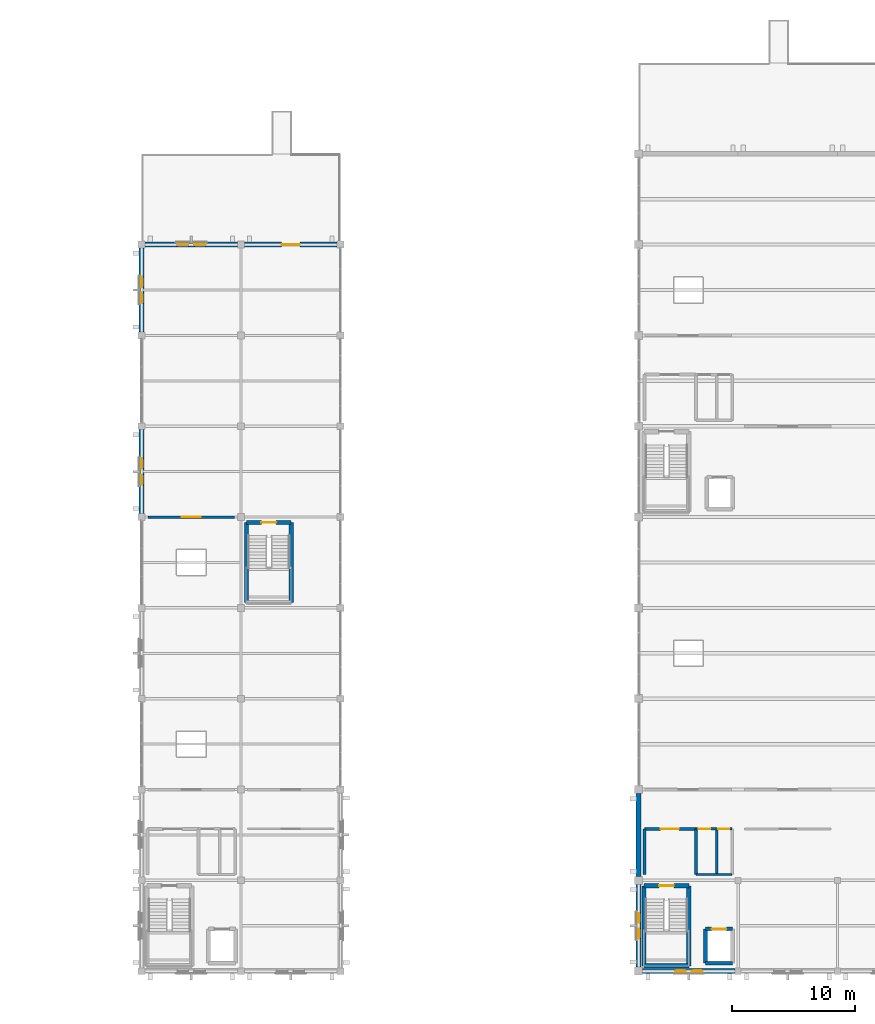
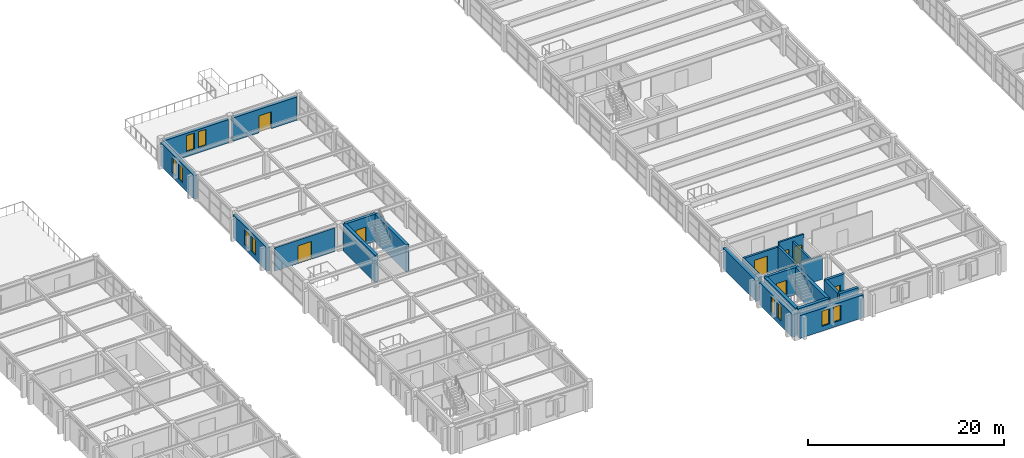
# One storey, part 80 of 93: 24 walls, 10 windows, 8 doors, 18 openings.
"""IFC4 building model written with IfcOpenShell, lengths in metres."""

from ifc_helpers import new_model, si_unit, direction, frame, frame_2d, origin, place, context, subcontext, project, spatial, rectangle, extrude, material, layer, layer_set, type_object, element, fill, save


model = new_model("IFC4")

# Units and contexts
model_context = context("Model", 3, precision=1e-05, world=origin(), true_north=direction((0.0, 1.0)))
body_context = subcontext(model_context, "Body", "Model", "MODEL_VIEW")
ifc_project = project(units=[si_unit("LENGTHUNIT", "METRE"), si_unit("AREAUNIT", "SQUARE_METRE"), si_unit("VOLUMEUNIT", "CUBIC_METRE"), si_unit("PLANEANGLEUNIT", "RADIAN"), si_unit("MASSUNIT", "GRAM", prefix="KILO")], contexts=[model_context])

# Site, building, storey
site_placement = place(None, origin())
site = spatial("IfcSite", under=ifc_project, at=site_placement, CompositionType="ELEMENT")
building_placement = place(site_placement, origin())
building = spatial("IfcBuilding", under=site, at=building_placement, Name="Cimatlan Art Gallery", CompositionType="ELEMENT")
storey_placement = place(building_placement, frame((0.0, 0.0, 13.800048828125)))
storey = spatial("IfcBuildingStorey", under=building, at=storey_placement, Name="L03", CompositionType="ELEMENT", Elevation=13.800048828125)

# Walls
ifc_material_1 = material(Name="Concrete C40/50", Category="concrete")
ifc_layer_1 = layer(ifc_material_1, 0.31005859375)
ifc_layer_set_1 = layer_set([ifc_layer_1], Name="Concrete C40/50")
wall_type_1 = type_object("IfcWallType", Name="W-CORE-310", PredefinedType="SHEAR", material=ifc_layer_set_1)
wall_1_placement = place(storey_placement, frame((80.35009765625, 24.550048828125, 0.0), z_axis=(0.0, 0.0, 1.0), x_axis=(0.0, 1.0, 0.0)))
element("IfcWall", 1, at=wall_1_placement, inside=storey, type_object=wall_type_1, Name="WL-SHFT-C3-L03-LW", PredefinedType="SHEAR", context=body_context, shape_type="SweptSolid", body=[
    extrude(rectangle(XDim=2.800048828125, YDim=0.31005859375, at=frame_2d((1.39990234375, 0.0))), origin(), (0.0, 0.0, 1.0), 3.375),
])
wall_2_placement = place(storey_placement, frame((80.35009765625, 24.550048828125, 0.0), z_axis=(0.0, 0.0, 1.0), x_axis=(1.0, 0.0, 0.0)))
element("IfcWall", 2, at=wall_2_placement, inside=storey, type_object=wall_type_1, Name="WL-SHFT-C3-L03-LS", PredefinedType="SHEAR", context=body_context, shape_type="SweptSolid", body=[
    extrude(rectangle(XDim=2.199951171875, YDim=0.31005859375, at=frame_2d((1.10009765625, 0.0))), origin(), (0.0, 0.0, 1.0), 3.375),
])

# Wall, opening, door
wall_3_placement = place(storey_placement, frame((80.35009765625, 27.35009765625, 0.0), z_axis=(0.0, 0.0, 1.0), x_axis=(1.0, 0.0, 0.0)))
wall_3 = element("IfcWall", 3, at=wall_3_placement, inside=storey, type_object=wall_type_1, Name="WL-SHFT-C3-L03-LN", PredefinedType="SHEAR", context=body_context, shape_type="SweptSolid", body=[
    extrude(rectangle(XDim=2.199951171875, YDim=0.31005859375, at=frame_2d((1.10009765625, 0.0))), origin(), (0.0, 0.0, 1.0), 3.375),
])
opening_1_placement = place(wall_3_placement, frame((0.5, 0.0, 0.0)))
opening_1 = element("IfcOpeningElement", 4, at=opening_1_placement, cuts=wall_3, Name="Opening LD-C3-L03", PredefinedType="OPENING", context=body_context, shape_type="SweptSolid", body=[
    extrude(rectangle(XDim=1.199951171875, YDim=2.14990234375, at=frame_2d((0.60009765625, 1.074951171875))), frame((0.0, 0.1650390625, 0.0), z_axis=(0.0, -1.0, 0.0), x_axis=(1.0, 0.0, 0.0)), (0.0, 0.0, 1.0), 0.330078125),
])
ifc_material_2 = material(Name="Fire-rated sliding firefighting lift landing door")
door_type_1 = type_object("IfcDoorType", Name="LD-FF-1200", OperationType="NOTDEFINED", PredefinedType="DOOR", material=ifc_material_2)
door_1_placement = place(opening_1_placement, origin())
door_1 = element("IfcDoor", 5, at=door_1_placement, inside=storey, type_object=door_type_1, Name="LD-FFL-02-L03", OperationType="SLIDING_TO_LEFT", OverallHeight=2.14990234375, OverallWidth=1.199951171875, PredefinedType="DOOR", context=body_context, shape_type="SweptSolid", body=[
    extrude(rectangle(XDim=1.199951171875, YDim=2.14990234375, at=frame_2d((0.60009765625, 1.074951171875))), frame((0.0, 0.02490234375, 0.0), z_axis=(0.0, -1.0, 0.0), x_axis=(1.0, 0.0, 0.0)), (0.0, 0.0, 1.0), 0.050048828125),
])
fill(opening_1, door_1)

# Walls
ifc_layer_2 = layer(ifc_material_1, 0.35009765625)
ifc_layer_set_2 = layer_set([ifc_layer_2], Name="Concrete C40/50")
wall_type_2 = type_object("IfcWallType", Name="W-CORE-350", PredefinedType="SHEAR", material=ifc_layer_set_2)
wall_4_placement = place(storey_placement, frame((75.340087890625, 24.340087890625, 0.0), z_axis=(0.0, 0.0, 1.0), x_axis=(0.0, 1.0, 0.0)))
element("IfcWall", 6, at=wall_4_placement, inside=storey, type_object=wall_type_2, Name="WL-CORE-C3-L03-SW", PredefinedType="SHEAR", context=body_context, shape_type="SweptSolid", body=[
    extrude(rectangle(XDim=6.52001953125, YDim=0.35009765625, at=frame_2d((3.260009765625, 0.0))), origin(), (0.0, 0.0, 1.0), 3.375),
])
wall_5_placement = place(storey_placement, frame((75.340087890625, 24.340087890625, 0.0), z_axis=(0.0, 0.0, 1.0), x_axis=(1.0, 0.0, 0.0)))
element("IfcWall", 7, at=wall_5_placement, inside=storey, type_object=wall_type_2, Name="WL-CORE-C3-L03-SS", PredefinedType="SHEAR", context=body_context, shape_type="SweptSolid", body=[
    extrude(rectangle(XDim=3.639892578125, YDim=0.35009765625, at=frame_2d((1.81982421875, 0.0))), origin(), (0.0, 0.0, 1.0), 3.375),
])
wall_6_placement = place(storey_placement, frame((78.97998046875, 24.340087890625, 0.0), z_axis=(0.0, 0.0, 1.0), x_axis=(0.0, 1.0, 0.0)))
element("IfcWall", 8, at=wall_6_placement, inside=storey, type_object=wall_type_2, Name="WL-CORE-C3-L03-SE", PredefinedType="SHEAR", context=body_context, shape_type="SweptSolid", body=[
    extrude(rectangle(XDim=6.52001953125, YDim=0.35009765625, at=frame_2d((3.260009765625, 0.0))), origin(), (0.0, 0.0, 1.0), 3.375),
])

# Wall, opening, door
wall_7_placement = place(storey_placement, frame((75.340087890625, 30.860107421875, 0.0), z_axis=(0.0, 0.0, 1.0), x_axis=(1.0, 0.0, 0.0)))
wall_7 = element("IfcWall", 9, at=wall_7_placement, inside=storey, type_object=wall_type_2, Name="WL-CORE-C3-L03-SN", PredefinedType="SHEAR", context=body_context, shape_type="SweptSolid", body=[
    extrude(rectangle(XDim=3.639892578125, YDim=0.35009765625, at=frame_2d((1.81982421875, 0.0))), origin(), (0.0, 0.0, 1.0), 3.375),
])
opening_2_placement = place(wall_7_placement, frame((1.219970703125, 0.0, 0.0)))
opening_2 = element("IfcOpeningElement", 10, at=opening_2_placement, cuts=wall_7, Name="Opening FD-C3-L03", PredefinedType="OPENING", context=body_context, shape_type="SweptSolid", body=[
    extrude(rectangle(XDim=1.199951171875, YDim=2.14990234375, at=frame_2d((0.60009765625, 1.074951171875))), frame((0.0, 0.18505859375, 0.0), z_axis=(0.0, -1.0, 0.0), x_axis=(1.0, 0.0, 0.0)), (0.0, 0.0, 1.0), 0.3701171875),
])
ifc_material_3 = material(Name="Fire-resisting steel acoustic stair door", Category="steel")
door_type_2 = type_object("IfcDoorType", Name="FD-ST-1200", OperationType="NOTDEFINED", PredefinedType="DOOR", material=ifc_material_3)
door_2_placement = place(opening_2_placement, origin())
door_2 = element("IfcDoor", 11, at=door_2_placement, inside=storey, type_object=door_type_2, Name="DR-C3-L03-ST", OperationType="SINGLE_SWING_LEFT", OverallHeight=2.14990234375, OverallWidth=1.199951171875, PredefinedType="DOOR", context=body_context, shape_type="SweptSolid", body=[
    extrude(rectangle(XDim=1.199951171875, YDim=2.14990234375, at=frame_2d((0.60009765625, 1.074951171875))), frame((0.0, 0.02490234375, 0.0), z_axis=(0.0, -1.0, 0.0), x_axis=(1.0, 0.0, 0.0)), (0.0, 0.0, 1.0), 0.050048828125),
])
fill(opening_2, door_2)

# Walls
for number, where, z_axis, x_axis, name in (
    (12, (42.93994140625, 53.93994140625, 0.0), (0.0, 0.0, 1.0), (0.0, 1.0, 0.0), "WL-CORE-C8-L03-SW"),
    (13, (46.580078125, 53.93994140625, 0.0), (0.0, 0.0, 1.0), (0.0, 1.0, 0.0), "WL-CORE-C8-L03-SE"),
):
    element("IfcWall", number, at=place(storey_placement, frame(where, z_axis=z_axis, x_axis=x_axis)), inside=storey, type_object=wall_type_2, Name=name, PredefinedType="SHEAR", context=body_context, shape_type="SweptSolid", body=[
        extrude(rectangle(XDim=6.52001953125, YDim=0.35009765625, at=frame_2d((3.260009765625, 0.0))), origin(), (0.0, 0.0, 1.0), 3.375),
    ])

# Wall, opening, door
wall_8_placement = place(storey_placement, frame((42.93994140625, 60.4599609375, 0.0), z_axis=(0.0, 0.0, 1.0), x_axis=(1.0, 0.0, 0.0)))
wall_8 = element("IfcWall", 14, at=wall_8_placement, inside=storey, type_object=wall_type_2, Name="WL-CORE-C8-L03-SN", PredefinedType="SHEAR", context=body_context, shape_type="SweptSolid", body=[
    extrude(rectangle(XDim=3.64013671875, YDim=0.35009765625, at=frame_2d((1.820068359375, 0.0))), origin(), (0.0, 0.0, 1.0), 3.375),
])
opening_3_placement = place(wall_8_placement, frame((1.219970703125, 0.0, 0.0)))
opening_3 = element("IfcOpeningElement", 15, at=opening_3_placement, cuts=wall_8, Name="Opening FD-C8-L03", PredefinedType="OPENING", context=body_context, shape_type="SweptSolid", body=[
    extrude(rectangle(XDim=1.199951171875, YDim=2.14990234375, at=frame_2d((0.60009765625, 1.074951171875))), frame((0.0, 0.18505859375, 0.0), z_axis=(0.0, -1.0, 0.0), x_axis=(1.0, 0.0, 0.0)), (0.0, 0.0, 1.0), 0.3701171875),
])
door_3_placement = place(opening_3_placement, origin())
door_3 = element("IfcDoor", 16, at=door_3_placement, inside=storey, type_object=door_type_2, Name="DR-C8-L03-ST", OperationType="SINGLE_SWING_RIGHT", OverallHeight=2.14990234375, OverallWidth=1.199951171875, PredefinedType="DOOR", context=body_context, shape_type="SweptSolid", body=[
    extrude(rectangle(XDim=1.199951171875, YDim=2.14990234375, at=frame_2d((0.60009765625, 1.074951171875))), frame((0.0, 0.02490234375, 0.0), z_axis=(0.0, -1.0, 0.0), x_axis=(1.0, 0.0, 0.0)), (0.0, 0.0, 1.0), 0.050048828125),
])
fill(opening_3, door_3)

ifc_material_4 = material(Name="Precast concrete C40/50", Category="concrete")
ifc_layer_3 = layer(ifc_material_4, 0.2451171875)
ifc_layer_set_3 = layer_set([ifc_layer_3], Name="Precast concrete C40/50")
wall_type_3 = type_object("IfcWallType", Name="W-FFL-245", PredefinedType="PARTITIONING", material=ifc_layer_set_3)
wall_9_placement = place(storey_placement, frame((75.3798828125, 35.5, 0.0), z_axis=(0.0, 0.0, 1.0), x_axis=(1.0, 0.0, 0.0)))
wall_9 = element("IfcWall", 17, at=wall_9_placement, inside=storey, type_object=wall_type_3, Name="WL-LOB-C3-L03-N", PredefinedType="PARTITIONING", context=body_context, shape_type="SweptSolid", body=[
    extrude(rectangle(XDim=4.170166015625, YDim=0.2451171875, at=frame_2d((2.0849609375, 0.0))), origin(), (0.0, 0.0, 1.0), 2.8369140625),
])
opening_4_placement = place(wall_9_placement, frame((1.300048828125, 0.0, 0.0)))
opening_4 = element("IfcOpeningElement", 18, at=opening_4_placement, cuts=wall_9, Name="Opening FDL-C3-L03", PredefinedType="OPENING", context=body_context, shape_type="SweptSolid", body=[
    extrude(rectangle(XDim=1.5, YDim=2.14990234375, at=frame_2d((0.75, 1.074951171875))), frame((0.0, 0.132568359375, 0.0), z_axis=(0.0, -1.0, 0.0), x_axis=(1.0, 0.0, 0.0)), (0.0, 0.0, 1.0), 0.26513671875),
])
ifc_material_5 = material(Name="Fire-resisting double-seal lobby door")
door_type_3 = type_object("IfcDoorType", Name="FD-LB-1500", OperationType="NOTDEFINED", PredefinedType="DOOR", material=ifc_material_5)
door_4_placement = place(opening_4_placement, origin())
door_4 = element("IfcDoor", 19, at=door_4_placement, inside=storey, type_object=door_type_3, Name="DR-LOB-C3-L03", OperationType="SINGLE_SWING_RIGHT", OverallHeight=2.14990234375, OverallWidth=1.5, PredefinedType="DOOR", context=body_context, shape_type="SweptSolid", body=[
    extrude(rectangle(XDim=1.5, YDim=2.14990234375, at=frame_2d((0.75, 1.074951171875))), frame((0.0, 0.02490234375, 0.0), z_axis=(0.0, -1.0, 0.0), x_axis=(1.0, 0.0, 0.0)), (0.0, 0.0, 1.0), 0.050048828125),
])
fill(opening_4, door_4)

# Walls
wall_10_placement = place(storey_placement, frame((75.3798828125, 31.780029296875, 0.0), z_axis=(0.0, 0.0, 1.0), x_axis=(0.0, 1.0, 0.0)))
element("IfcWall", 20, at=wall_10_placement, inside=storey, type_object=wall_type_3, Name="WL-LOB-C3-L03-W", PredefinedType="PARTITIONING", context=body_context, shape_type="SweptSolid", body=[
    extrude(rectangle(XDim=3.719970703125, YDim=0.2451171875, at=frame_2d((1.85986328125, 0.0))), origin(), (0.0, 0.0, 1.0), 2.8369140625),
])
wall_11_placement = place(storey_placement, frame((79.550048828125, 31.780029296875, 0.0), z_axis=(0.0, 0.0, 1.0), x_axis=(0.0, 1.0, 0.0)))
element("IfcWall", 21, at=wall_11_placement, inside=storey, type_object=wall_type_3, Name="WL-LOB-C3-L03-M", PredefinedType="PARTITIONING", context=body_context, shape_type="SweptSolid", body=[
    extrude(rectangle(XDim=3.719970703125, YDim=0.2451171875, at=frame_2d((1.85986328125, 0.0))), origin(), (0.0, 0.0, 1.0), 2.912841796875),
])

# Wall, opening, door
ifc_material_6 = material(Name="Acoustic gypsum and steel stud partition", Category="steel")
ifc_layer_4 = layer(ifc_material_6, 0.205078125)
ifc_layer_set_4 = layer_set([ifc_layer_4], Name="Acoustic gypsum and steel stud partition")
wall_type_4 = type_object("IfcWallType", Name="W-GAL-205", PredefinedType="PARTITIONING", material=ifc_layer_set_4)
wall_12_placement = place(storey_placement, frame((34.919921875, 60.89990234375, 0.0), z_axis=(0.0, 0.0, 1.0), x_axis=(1.0, 0.0, 0.0)))
wall_12 = element("IfcWall", 22, at=wall_12_placement, inside=storey, type_object=wall_type_4, Name="WL-RM-L03-GAL-W2", PredefinedType="PARTITIONING", context=body_context, shape_type="SweptSolid", body=[
    extrude(rectangle(XDim=7.06005859375, YDim=0.205078125, at=frame_2d((3.530029296875, 0.0))), origin(), (0.0, 0.0, 1.0), 2.912841796875),
])
opening_5_placement = place(wall_12_placement, frame((2.7548828125, 0.0, 0.0)))
opening_5 = element("IfcOpeningElement", 23, at=opening_5_placement, cuts=wall_12, Name="Opening DI-0248", PredefinedType="OPENING", context=body_context, shape_type="SweptSolid", body=[
    extrude(rectangle(XDim=1.550048828125, YDim=2.199951171875, at=frame_2d((0.77490234375, 1.10009765625))), frame((0.0, 0.112548828125, 0.0), z_axis=(0.0, -1.0, 0.0), x_axis=(1.0, 0.0, 0.0)), (0.0, 0.0, 1.0), 0.22509765625),
])
ifc_material_7 = material(Name="European oak upper gallery door")
door_type_4 = type_object("IfcDoorType", Name="DI-GL-1550", OperationType="NOTDEFINED", PredefinedType="DOOR", material=ifc_material_7)
door_5_placement = place(opening_5_placement, origin())
door_5 = element("IfcDoor", 24, at=door_5_placement, inside=storey, type_object=door_type_4, Name="DR-RM-L03-GAL-W2", OperationType="SINGLE_SWING_RIGHT", OverallHeight=2.199951171875, OverallWidth=1.550048828125, PredefinedType="DOOR", context=body_context, shape_type="SweptSolid", body=[
    extrude(rectangle(XDim=1.550048828125, YDim=2.199951171875, at=frame_2d((0.77490234375, 1.10009765625))), frame((0.0, 0.02490234375, 0.0), z_axis=(0.0, -1.0, 0.0), x_axis=(1.0, 0.0, 0.0)), (0.0, 0.0, 1.0), 0.050048828125),
])
fill(opening_5, door_5)

# Walls
ifc_material_8 = material(Name="Moisture-resistant fire-rated plumbing wall")
ifc_layer_5 = layer(ifc_material_8, 0.195068359375)
ifc_layer_set_5 = layer_set([ifc_layer_5], Name="Moisture-resistant fire-rated plumbing wall")
wall_type_5 = type_object("IfcWallType", Name="W-PLM-195", PredefinedType="PARTITIONING", material=ifc_layer_set_5)
wall_13_placement = place(storey_placement, frame((81.25, 31.780029296875, 0.0), z_axis=(0.0, 0.0, 1.0), x_axis=(0.0, 1.0, 0.0)))
element("IfcWall", 25, at=wall_13_placement, inside=storey, type_object=wall_type_5, Name="WL-LOB-C3-L03-D", PredefinedType="PARTITIONING", context=body_context, shape_type="SweptSolid", body=[
    extrude(rectangle(XDim=3.719970703125, YDim=0.195068359375, at=frame_2d((1.85986328125, 0.0))), origin(), (0.0, 0.0, 1.0), 2.912841796875),
])
wall_14_placement = place(storey_placement, frame((79.550048828125, 31.780029296875, 0.0), z_axis=(0.0, 0.0, 1.0), x_axis=(1.0, 0.0, 0.0)))
element("IfcWall", 26, at=wall_14_placement, inside=storey, type_object=wall_type_5, Name="WL-LOB-C3-L03-S", PredefinedType="PARTITIONING", context=body_context, shape_type="SweptSolid", body=[
    extrude(rectangle(XDim=2.969970703125, YDim=0.195068359375, at=frame_2d((1.48486328125, 0.0))), origin(), (0.0, 0.0, 1.0), 2.912841796875),
])

# Wall, openings, doors
wall_15_placement = place(storey_placement, frame((79.550048828125, 35.5, 0.0), z_axis=(0.0, 0.0, 1.0), x_axis=(1.0, 0.0, 0.0)))
wall_15 = element("IfcWall", 27, at=wall_15_placement, inside=storey, type_object=wall_type_5, Name="WL-WC-C3-L03-N", PredefinedType="PARTITIONING", context=body_context, shape_type="SweptSolid", body=[
    extrude(rectangle(XDim=2.969970703125, YDim=0.195068359375, at=frame_2d((1.48486328125, 0.0))), origin(), (0.0, 0.0, 1.0), 3.364990234375),
])
opening_6_placement = place(wall_15_placement, frame((0.25, 0.0, 0.0)))
opening_6 = element("IfcOpeningElement", 28, at=opening_6_placement, cuts=wall_15, Name="Opening DWC-C3A-L03", PredefinedType="OPENING", context=body_context, shape_type="SweptSolid", body=[
    extrude(rectangle(XDim=0.949951171875, YDim=2.10009765625, at=frame_2d((0.47509765625, 1.050048828125))), frame((0.0, 0.107421875, 0.0), z_axis=(0.0, -1.0, 0.0), x_axis=(1.0, 0.0, 0.0)), (0.0, 0.0, 1.0), 0.215087890625),
])
opening_7_placement = place(wall_15_placement, frame((1.820068359375, 0.0, 0.0)))
opening_7 = element("IfcOpeningElement", 29, at=opening_7_placement, cuts=wall_15, Name="Opening DWC-C3B-L03", PredefinedType="OPENING", context=body_context, shape_type="SweptSolid", body=[
    extrude(rectangle(XDim=0.89990234375, YDim=2.10009765625, at=frame_2d((0.449951171875, 1.050048828125))), frame((0.0, 0.107421875, 0.0), z_axis=(0.0, -1.0, 0.0), x_axis=(1.0, 0.0, 0.0)), (0.0, 0.0, 1.0), 0.215087890625),
])
ifc_material_9 = material(Name="Sanitary room door")
door_type_5 = type_object("IfcDoorType", Name="DI-WC-0900", OperationType="NOTDEFINED", PredefinedType="DOOR", material=ifc_material_9)
door_6_placement = place(opening_7_placement, origin())
door_6 = element("IfcDoor", 30, at=door_6_placement, inside=storey, type_object=door_type_5, Name="DR-PWC-C3-L03", OperationType="SINGLE_SWING_RIGHT", OverallHeight=2.10009765625, OverallWidth=0.89990234375, PredefinedType="DOOR", context=body_context, shape_type="SweptSolid", body=[
    extrude(rectangle(XDim=0.89990234375, YDim=2.10009765625, at=frame_2d((0.449951171875, 1.050048828125))), frame((0.0, 0.02490234375, 0.0), z_axis=(0.0, -1.0, 0.0), x_axis=(1.0, 0.0, 0.0)), (0.0, 0.0, 1.0), 0.050048828125),
])
fill(opening_7, door_6)
ifc_material_10 = material(Name="Accessible sanitary room door")
door_type_6 = type_object("IfcDoorType", Name="DI-WC-0950", OperationType="NOTDEFINED", PredefinedType="DOOR", material=ifc_material_10)
door_7_placement = place(opening_6_placement, origin())
door_7 = element("IfcDoor", 31, at=door_7_placement, inside=storey, type_object=door_type_6, Name="DR-AWC-C3-L03", OperationType="SINGLE_SWING_LEFT", OverallHeight=2.10009765625, OverallWidth=0.949951171875, PredefinedType="DOOR", context=body_context, shape_type="SweptSolid", body=[
    extrude(rectangle(XDim=0.949951171875, YDim=2.10009765625, at=frame_2d((0.47509765625, 1.050048828125))), frame((0.0, 0.02490234375, 0.0), z_axis=(0.0, -1.0, 0.0), x_axis=(1.0, 0.0, 0.0)), (0.0, 0.0, 1.0), 0.050048828125),
])
fill(opening_6, door_7)

# Wall, openings, windows
ifc_layer_6 = layer(ifc_material_4, 0.39990234375)
ifc_layer_set_6 = layer_set([ifc_layer_6], Name="Precast concrete C40/50")
wall_type_6 = type_object("IfcWallType", Name="WL-EXT-CAN-400", PredefinedType="SOLIDWALL", material=ifc_layer_set_6)
wall_16_placement = place(storey_placement, frame((34.39990234375, 61.178955078125, 0.0), z_axis=(0.0, 0.0, 1.0), x_axis=(0.0, 1.0, 0.0)))
wall_16 = element("IfcWall", 32, at=wall_16_placement, inside=storey, type_object=wall_type_6, Name="WL-EXT-L03-04-08-W", PredefinedType="SOLIDWALL", context=body_context, shape_type="SweptSolid", body=[
    extrude(rectangle(XDim=6.842041015625, YDim=0.39990234375, at=frame_2d((3.4208984375, 0.0))), origin(), (0.0, 0.0, 1.0), 2.907958984375),
])
opening_8_placement = place(wall_16_placement, frame((2.341064453125, 0.0, 0.60009765625)))
opening_8 = element("IfcOpeningElement", 33, at=opening_8_placement, cuts=wall_16, Name="Opening WN-0241", PredefinedType="OPENING", context=body_context, shape_type="SweptSolid", body=[
    extrude(rectangle(XDim=0.840087890625, YDim=1.889892578125, at=frame_2d((0.419921875, 0.94482421875))), frame((0.0, 0.2099609375, 0.0), z_axis=(0.0, -1.0, 0.0), x_axis=(1.0, 0.0, 0.0)), (0.0, 0.0, 1.0), 0.419921875),
])
opening_9_placement = place(wall_16_placement, frame((3.660888671875, 0.0, 0.60009765625)))
opening_9 = element("IfcOpeningElement", 34, at=opening_9_placement, cuts=wall_16, Name="Opening WN-0242", PredefinedType="OPENING", context=body_context, shape_type="SweptSolid", body=[
    extrude(rectangle(XDim=0.840087890625, YDim=1.889892578125, at=frame_2d((0.419921875, 0.94482421875))), frame((0.0, 0.2099609375, 0.0), z_axis=(0.0, -1.0, 0.0), x_axis=(1.0, 0.0, 0.0)), (0.0, 0.0, 1.0), 0.419921875),
])
ifc_material_11 = material(Name="Low-E laminated double glazing in bronze lancet frame", Category="glass")
window_type_1 = type_object("IfcWindowType", Name="WIN-PAV-W3-0840X1890", PartitioningType="SINGLE_PANEL", PredefinedType="WINDOW", material=ifc_material_11)
window_1_placement = place(opening_8_placement, origin())
window_1 = element("IfcWindow", 35, at=window_1_placement, inside=storey, type_object=window_type_1, Name="WIN-0241", OverallHeight=1.889892578125, OverallWidth=0.840087890625, PartitioningType="SINGLE_PANEL", PredefinedType="WINDOW", context=body_context, shape_type="SweptSolid", body=[
    extrude(rectangle(XDim=0.840087890625, YDim=1.889892578125, at=frame_2d((0.419921875, 0.94482421875))), frame((0.0, 0.030029296875, 0.0), z_axis=(0.0, -1.0, 0.0), x_axis=(1.0, 0.0, 0.0)), (0.0, 0.0, 1.0), 0.06005859375),
])
fill(opening_8, window_1)
window_2_placement = place(opening_9_placement, origin())
window_2 = element("IfcWindow", 36, at=window_2_placement, inside=storey, type_object=window_type_1, Name="WIN-0242", OverallHeight=1.889892578125, OverallWidth=0.840087890625, PartitioningType="SINGLE_PANEL", PredefinedType="WINDOW", context=body_context, shape_type="SweptSolid", body=[
    extrude(rectangle(XDim=0.840087890625, YDim=1.889892578125, at=frame_2d((0.419921875, 0.94482421875))), frame((0.0, 0.030029296875, 0.0), z_axis=(0.0, -1.0, 0.0), x_axis=(1.0, 0.0, 0.0)), (0.0, 0.0, 1.0), 0.06005859375),
])
fill(opening_9, window_2)

wall_17_placement = place(storey_placement, frame((34.678955078125, 83.10009765625, 0.0), z_axis=(0.0, 0.0, 1.0), x_axis=(1.0, 0.0, 0.0)))
wall_17 = element("IfcWall", 37, at=wall_17_placement, inside=storey, type_object=wall_type_6, Name="WL-EXT-L03-04-10-N", PredefinedType="SOLIDWALL", context=body_context, shape_type="SweptSolid", body=[
    extrude(rectangle(XDim=7.5419921875, YDim=0.39990234375, at=frame_2d((3.77099609375, 0.0))), origin(), (0.0, 0.0, 1.0), 2.907958984375),
])
opening_10_placement = place(wall_17_placement, frame((2.611083984375, 0.0, 0.60009765625)))
opening_10 = element("IfcOpeningElement", 38, at=opening_10_placement, cuts=wall_17, Name="Opening WN-0243", PredefinedType="OPENING", context=body_context, shape_type="SweptSolid", body=[
    extrude(rectangle(XDim=0.919921875, YDim=2.02001953125, at=frame_2d((0.4599609375, 1.010009765625))), frame((0.0, 0.2099609375, 0.0), z_axis=(0.0, -1.0, 0.0), x_axis=(1.0, 0.0, 0.0)), (0.0, 0.0, 1.0), 0.419921875),
])
opening_11_placement = place(wall_17_placement, frame((4.010986328125, 0.0, 0.60009765625)))
opening_11 = element("IfcOpeningElement", 39, at=opening_11_placement, cuts=wall_17, Name="Opening WN-0244", PredefinedType="OPENING", context=body_context, shape_type="SweptSolid", body=[
    extrude(rectangle(XDim=0.919921875, YDim=2.02001953125, at=frame_2d((0.4599609375, 1.010009765625))), frame((0.0, 0.2099609375, 0.0), z_axis=(0.0, -1.0, 0.0), x_axis=(1.0, 0.0, 0.0)), (0.0, 0.0, 1.0), 0.419921875),
])
window_type_2 = type_object("IfcWindowType", Name="WIN-N-L03-0920X2020", PartitioningType="SINGLE_PANEL", PredefinedType="WINDOW", material=ifc_material_11)
window_3_placement = place(opening_10_placement, origin())
window_3 = element("IfcWindow", 40, at=window_3_placement, inside=storey, type_object=window_type_2, Name="WIN-0243", OverallHeight=2.02001953125, OverallWidth=0.919921875, PartitioningType="SINGLE_PANEL", PredefinedType="WINDOW", context=body_context, shape_type="SweptSolid", body=[
    extrude(rectangle(XDim=0.919921875, YDim=2.02001953125, at=frame_2d((0.4599609375, 1.010009765625))), frame((0.0, 0.030029296875, 0.0), z_axis=(0.0, -1.0, 0.0), x_axis=(1.0, 0.0, 0.0)), (0.0, 0.0, 1.0), 0.06005859375),
])
fill(opening_10, window_3)
window_4_placement = place(opening_11_placement, origin())
window_4 = element("IfcWindow", 41, at=window_4_placement, inside=storey, type_object=window_type_2, Name="WIN-0244", OverallHeight=2.02001953125, OverallWidth=0.919921875, PartitioningType="SINGLE_PANEL", PredefinedType="WINDOW", context=body_context, shape_type="SweptSolid", body=[
    extrude(rectangle(XDim=0.919921875, YDim=2.02001953125, at=frame_2d((0.4599609375, 1.010009765625))), frame((0.0, 0.030029296875, 0.0), z_axis=(0.0, -1.0, 0.0), x_axis=(1.0, 0.0, 0.0)), (0.0, 0.0, 1.0), 0.06005859375),
])
fill(opening_11, window_4)

wall_18_placement = place(storey_placement, frame((34.39990234375, 75.97900390625, 0.0), z_axis=(0.0, 0.0, 1.0), x_axis=(0.0, 1.0, 0.0)))
wall_18 = element("IfcWall", 42, at=wall_18_placement, inside=storey, type_object=wall_type_6, Name="WL-EXT-L03-04-10-W", PredefinedType="SOLIDWALL", context=body_context, shape_type="SweptSolid", body=[
    extrude(rectangle(XDim=6.842041015625, YDim=0.39990234375, at=frame_2d((3.4208984375, 0.0))), origin(), (0.0, 0.0, 1.0), 2.907958984375),
])
opening_12_placement = place(wall_18_placement, frame((2.341064453125, 0.0, 0.60009765625)))
opening_12 = element("IfcOpeningElement", 43, at=opening_12_placement, cuts=wall_18, Name="Opening WN-0245", PredefinedType="OPENING", context=body_context, shape_type="SweptSolid", body=[
    extrude(rectangle(XDim=0.840087890625, YDim=1.889892578125, at=frame_2d((0.419921875, 0.94482421875))), frame((0.0, 0.2099609375, 0.0), z_axis=(0.0, -1.0, 0.0), x_axis=(1.0, 0.0, 0.0)), (0.0, 0.0, 1.0), 0.419921875),
])
opening_13_placement = place(wall_18_placement, frame((3.660888671875, 0.0, 0.60009765625)))
opening_13 = element("IfcOpeningElement", 44, at=opening_13_placement, cuts=wall_18, Name="Opening WN-0246", PredefinedType="OPENING", context=body_context, shape_type="SweptSolid", body=[
    extrude(rectangle(XDim=0.840087890625, YDim=1.889892578125, at=frame_2d((0.419921875, 0.94482421875))), frame((0.0, 0.2099609375, 0.0), z_axis=(0.0, -1.0, 0.0), x_axis=(1.0, 0.0, 0.0)), (0.0, 0.0, 1.0), 0.419921875),
])
window_5_placement = place(opening_12_placement, origin())
window_5 = element("IfcWindow", 45, at=window_5_placement, inside=storey, type_object=window_type_1, Name="WIN-0245", OverallHeight=1.889892578125, OverallWidth=0.840087890625, PartitioningType="SINGLE_PANEL", PredefinedType="WINDOW", context=body_context, shape_type="SweptSolid", body=[
    extrude(rectangle(XDim=0.840087890625, YDim=1.889892578125, at=frame_2d((0.419921875, 0.94482421875))), frame((0.0, 0.030029296875, 0.0), z_axis=(0.0, -1.0, 0.0), x_axis=(1.0, 0.0, 0.0)), (0.0, 0.0, 1.0), 0.06005859375),
])
fill(opening_12, window_5)
window_6_placement = place(opening_13_placement, origin())
window_6 = element("IfcWindow", 46, at=window_6_placement, inside=storey, type_object=window_type_1, Name="WIN-0246", OverallHeight=1.889892578125, OverallWidth=0.840087890625, PartitioningType="SINGLE_PANEL", PredefinedType="WINDOW", context=body_context, shape_type="SweptSolid", body=[
    extrude(rectangle(XDim=0.840087890625, YDim=1.889892578125, at=frame_2d((0.419921875, 0.94482421875))), frame((0.0, 0.030029296875, 0.0), z_axis=(0.0, -1.0, 0.0), x_axis=(1.0, 0.0, 0.0)), (0.0, 0.0, 1.0), 0.06005859375),
])
fill(opening_13, window_6)

# Wall, opening, door
wall_19_placement = place(storey_placement, frame((42.779052734375, 83.10009765625, 0.0), z_axis=(0.0, 0.0, 1.0), x_axis=(1.0, 0.0, 0.0)))
wall_19 = element("IfcWall", 47, at=wall_19_placement, inside=storey, type_object=wall_type_6, Name="WL-EXT-L03-05-10-N", PredefinedType="SOLIDWALL", context=body_context, shape_type="SweptSolid", body=[
    extrude(rectangle(XDim=7.5419921875, YDim=0.39990234375, at=frame_2d((3.77099609375, 0.0))), origin(), (0.0, 0.0, 1.0), 2.907958984375),
])
opening_14_placement = place(wall_19_placement, frame((3.02099609375, 0.0, 0.0)))
opening_14 = element("IfcOpeningElement", 48, at=opening_14_placement, cuts=wall_19, Name="Opening D-L03-T12", PredefinedType="OPENING", context=body_context, shape_type="SweptSolid", body=[
    extrude(rectangle(XDim=1.5, YDim=2.10009765625, at=frame_2d((0.75, 1.050048828125))), frame((0.0, 0.2099609375, 0.0), z_axis=(0.0, -1.0, 0.0), x_axis=(1.0, 0.0, 0.0)), (0.0, 0.0, 1.0), 0.419921875),
])
ifc_material_12 = material(Name="Anodised bronze and laminated safety glass door", Category="glass")
door_type_7 = type_object("IfcDoorType", Name="DE-TR-1500", OperationType="NOTDEFINED", PredefinedType="DOOR", material=ifc_material_12)
door_8_placement = place(opening_14_placement, origin())
door_8 = element("IfcDoor", 49, at=door_8_placement, inside=storey, type_object=door_type_7, Name="D-L03-T12", OperationType="SINGLE_SWING_RIGHT", OverallHeight=2.10009765625, OverallWidth=1.5, PredefinedType="DOOR", context=body_context, shape_type="SweptSolid", body=[
    extrude(rectangle(XDim=1.5, YDim=2.10009765625, at=frame_2d((0.75, 1.050048828125))), frame((0.0, 0.02490234375, 0.0), z_axis=(0.0, -1.0, 0.0), x_axis=(1.0, 0.0, 0.0)), (0.0, 0.0, 1.0), 0.050048828125),
])
fill(opening_14, door_8)

# Wall, openings, windows
wall_20_placement = place(storey_placement, frame((82.74609375, 23.89990234375, 0.0), z_axis=(0.0, 0.0, 1.0), x_axis=(-1.0, 0.0, 0.0)))
wall_20 = element("IfcWall", 50, at=wall_20_placement, inside=storey, type_object=wall_type_6, Name="WL-EXT-L03-09-03-S", PredefinedType="SOLIDWALL", context=body_context, shape_type="SweptSolid", body=[
    extrude(rectangle(XDim=7.51708984375, YDim=0.39990234375, at=frame_2d((3.758544921875, 0.0))), origin(), (0.0, 0.0, 1.0), 2.83203125),
])
opening_15_placement = place(wall_20_placement, frame((2.638427734375, 0.0, 0.60009765625)))
opening_15 = element("IfcOpeningElement", 51, at=opening_15_placement, cuts=wall_20, Name="Opening WN-0253", PredefinedType="OPENING", context=body_context, shape_type="SweptSolid", body=[
    extrude(rectangle(XDim=0.8798828125, YDim=1.89990234375, at=frame_2d((0.43994140625, 0.949951171875))), frame((0.0, 0.2099609375, 0.0), z_axis=(0.0, -1.0, 0.0), x_axis=(1.0, 0.0, 0.0)), (0.0, 0.0, 1.0), 0.419921875),
])
opening_16_placement = place(wall_20_placement, frame((3.99853515625, 0.0, 0.60009765625)))
opening_16 = element("IfcOpeningElement", 52, at=opening_16_placement, cuts=wall_20, Name="Opening WN-0254", PredefinedType="OPENING", context=body_context, shape_type="SweptSolid", body=[
    extrude(rectangle(XDim=0.8798828125, YDim=1.89990234375, at=frame_2d((0.43994140625, 0.949951171875))), frame((0.0, 0.2099609375, 0.0), z_axis=(0.0, -1.0, 0.0), x_axis=(1.0, 0.0, 0.0)), (0.0, 0.0, 1.0), 0.419921875),
])
window_type_3 = type_object("IfcWindowType", Name="WIN-S-L03-0880X1900", PartitioningType="SINGLE_PANEL", PredefinedType="WINDOW", material=ifc_material_11)
window_7_placement = place(opening_15_placement, origin())
window_7 = element("IfcWindow", 53, at=window_7_placement, inside=storey, type_object=window_type_3, Name="WIN-0253", OverallHeight=1.89990234375, OverallWidth=0.8798828125, PartitioningType="SINGLE_PANEL", PredefinedType="WINDOW", context=body_context, shape_type="SweptSolid", body=[
    extrude(rectangle(XDim=0.8798828125, YDim=1.89990234375, at=frame_2d((0.43994140625, 0.949951171875))), frame((0.0, 0.030029296875, 0.0), z_axis=(0.0, -1.0, 0.0), x_axis=(1.0, 0.0, 0.0)), (0.0, 0.0, 1.0), 0.06005859375),
])
fill(opening_15, window_7)
window_8_placement = place(opening_16_placement, origin())
window_8 = element("IfcWindow", 54, at=window_8_placement, inside=storey, type_object=window_type_3, Name="WIN-0254", OverallHeight=1.89990234375, OverallWidth=0.8798828125, PartitioningType="SINGLE_PANEL", PredefinedType="WINDOW", context=body_context, shape_type="SweptSolid", body=[
    extrude(rectangle(XDim=0.8798828125, YDim=1.89990234375, at=frame_2d((0.43994140625, 0.949951171875))), frame((0.0, 0.030029296875, 0.0), z_axis=(0.0, -1.0, 0.0), x_axis=(1.0, 0.0, 0.0)), (0.0, 0.0, 1.0), 0.06005859375),
])
fill(opening_16, window_8)

wall_21_placement = place(storey_placement, frame((74.89990234375, 24.22900390625, 0.0), z_axis=(0.0, 0.0, 1.0), x_axis=(0.0, 1.0, 0.0)))
wall_21 = element("IfcWall", 55, at=wall_21_placement, inside=storey, type_object=wall_type_6, Name="WL-EXT-L03-09-03-W", PredefinedType="SOLIDWALL", context=body_context, shape_type="SweptSolid", body=[
    extrude(rectangle(XDim=6.741943359375, YDim=0.39990234375, at=frame_2d((3.37109375, 0.0))), origin(), (0.0, 0.0, 1.0), 2.83203125),
])
opening_17_placement = place(wall_21_placement, frame((2.3310546875, 0.0, 0.60009765625)))
opening_17 = element("IfcOpeningElement", 56, at=opening_17_placement, cuts=wall_21, Name="Opening WN-0255", PredefinedType="OPENING", context=body_context, shape_type="SweptSolid", body=[
    extrude(rectangle(XDim=0.800048828125, YDim=1.919921875, at=frame_2d((0.39990234375, 0.9599609375))), frame((0.0, 0.2099609375, 0.0), z_axis=(0.0, -1.0, 0.0), x_axis=(1.0, 0.0, 0.0)), (0.0, 0.0, 1.0), 0.419921875),
])
opening_18_placement = place(wall_21_placement, frame((3.611083984375, 0.0, 0.60009765625)))
opening_18 = element("IfcOpeningElement", 57, at=opening_18_placement, cuts=wall_21, Name="Opening WN-0256", PredefinedType="OPENING", context=body_context, shape_type="SweptSolid", body=[
    extrude(rectangle(XDim=0.800048828125, YDim=1.919921875, at=frame_2d((0.39990234375, 0.9599609375))), frame((0.0, 0.2099609375, 0.0), z_axis=(0.0, -1.0, 0.0), x_axis=(1.0, 0.0, 0.0)), (0.0, 0.0, 1.0), 0.419921875),
])
window_type_4 = type_object("IfcWindowType", Name="WIN-W-L03-0800X1920", PartitioningType="SINGLE_PANEL", PredefinedType="WINDOW", material=ifc_material_11)
window_9_placement = place(opening_17_placement, origin())
window_9 = element("IfcWindow", 58, at=window_9_placement, inside=storey, type_object=window_type_4, Name="WIN-0255", OverallHeight=1.919921875, OverallWidth=0.800048828125, PartitioningType="SINGLE_PANEL", PredefinedType="WINDOW", context=body_context, shape_type="SweptSolid", body=[
    extrude(rectangle(XDim=0.800048828125, YDim=1.919921875, at=frame_2d((0.39990234375, 0.9599609375))), frame((0.0, 0.030029296875, 0.0), z_axis=(0.0, -1.0, 0.0), x_axis=(1.0, 0.0, 0.0)), (0.0, 0.0, 1.0), 0.06005859375),
])
fill(opening_17, window_9)
window_10_placement = place(opening_18_placement, origin())
window_10 = element("IfcWindow", 59, at=window_10_placement, inside=storey, type_object=window_type_4, Name="WIN-0256", OverallHeight=1.919921875, OverallWidth=0.800048828125, PartitioningType="SINGLE_PANEL", PredefinedType="WINDOW", context=body_context, shape_type="SweptSolid", body=[
    extrude(rectangle(XDim=0.800048828125, YDim=1.919921875, at=frame_2d((0.39990234375, 0.9599609375))), frame((0.0, 0.030029296875, 0.0), z_axis=(0.0, -1.0, 0.0), x_axis=(1.0, 0.0, 0.0)), (0.0, 0.0, 1.0), 0.06005859375),
])
fill(opening_18, window_10)

# Wall
wall_22_placement = place(storey_placement, frame((74.89990234375, 31.62890625, 0.0), z_axis=(0.0, 0.0, 1.0), x_axis=(0.0, 1.0, 0.0)))
element("IfcWall", 60, at=wall_22_placement, inside=storey, type_object=wall_type_6, Name="WL-EXT-L03-09-04-W", PredefinedType="SOLIDWALL", context=body_context, shape_type="SweptSolid", body=[
    extrude(rectangle(XDim=6.7421875, YDim=0.39990234375, at=frame_2d((3.37109375, 0.0))), origin(), (0.0, 0.0, 1.0), 2.60302734375),
])

save(model, "model.ifc")
